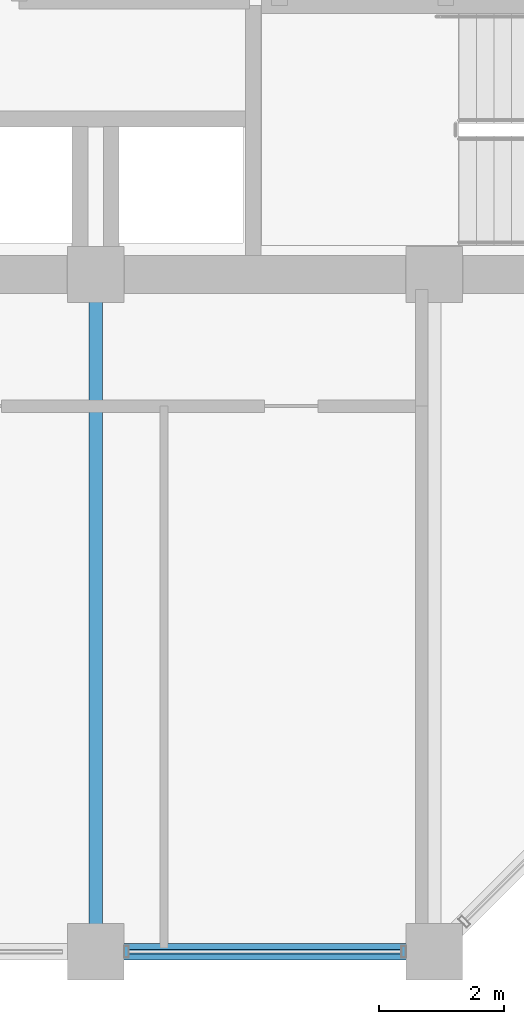
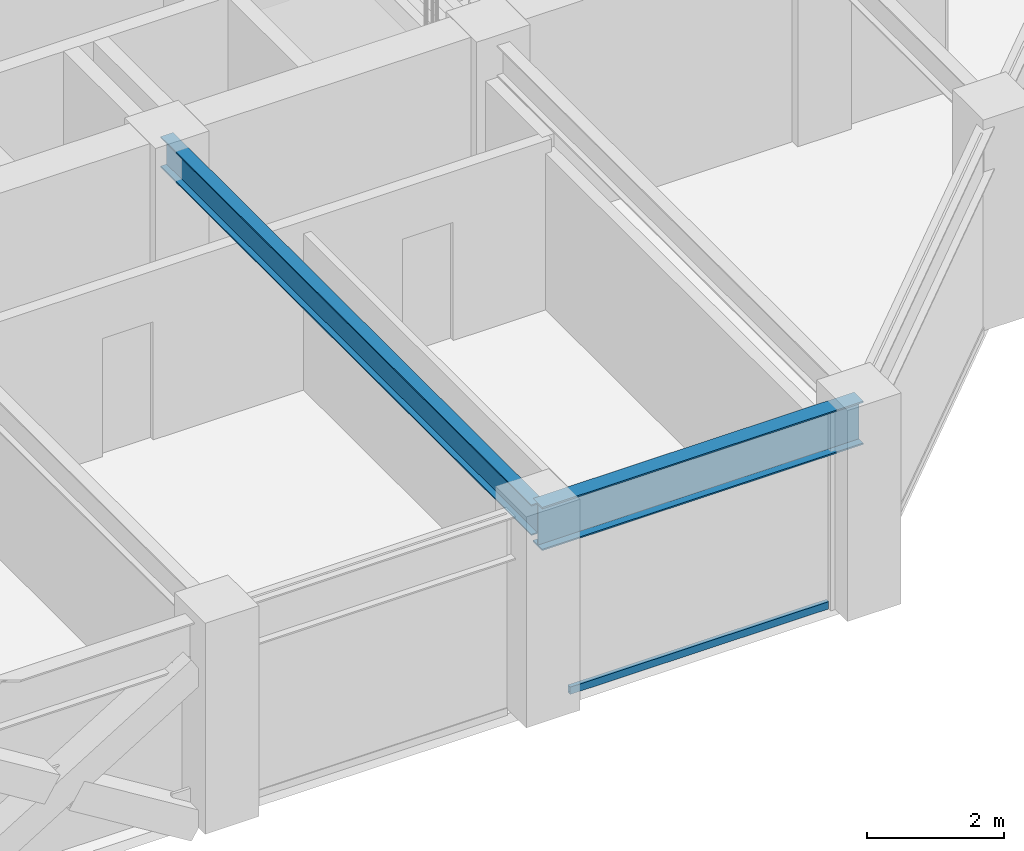
# One storey, part 7 of 32: 2 beams, 1 member, 1 element without a shape of its own.
"""IFC4 building model written with IfcOpenShell, lengths in metres."""

from ifc_helpers import new_model, si_unit, direction, frame, origin, origin_2d, place, context, subcontext, project, spatial, hollow_rectangle, i_section, extrude, material, layer, layer_set, material_profile, profile_set, type_object, element, aggregate, save


model = new_model("IFC4")

# Units and contexts
model_context = context("Model", 3, precision=1e-05, world=origin(), true_north=direction((0.0, 1.0)))
body_context = subcontext(model_context, "Body", "Model", "MODEL_VIEW")
ifc_project = project(units=[si_unit("LENGTHUNIT", "METRE"), si_unit("AREAUNIT", "SQUARE_METRE"), si_unit("VOLUMEUNIT", "CUBIC_METRE"), si_unit("PLANEANGLEUNIT", "RADIAN"), si_unit("MASSUNIT", "GRAM", prefix="KILO")], contexts=[model_context])

# Site, building, storey
site_placement = place(None, origin())
site = spatial("IfcSite", under=ifc_project, at=site_placement, CompositionType="ELEMENT")
building_placement = place(site_placement, origin())
building = spatial("IfcBuilding", under=site, at=building_placement, Name="Surkhivell Harbour Commons", CompositionType="ELEMENT")
storey_placement = place(building_placement, frame((0.0, 0.0, 186.0)))
storey = spatial("IfcBuildingStorey", under=building, at=storey_placement, Name="L48", CompositionType="ELEMENT", Elevation=186.0)

# Beams
ifc_material_1 = material(Name="Steel S355", Category="steel")
ifc_material_profile_1 = material_profile(ifc_material_1, i_section(OverallWidth=0.2119140625, OverallDepth=0.5439453125, WebThickness=0.0126953125, FlangeThickness=0.021240234375, at=origin_2d()), Name="UB533x210x122")
ifc_profile_set_1 = profile_set([ifc_material_profile_1], Name="Steel S355")
beam_type_1 = type_object("IfcBeamType", Name="BM-GRD-533A", PredefinedType="BEAM", material=ifc_profile_set_1)
beam_1_placement = place(storey_placement, frame((0.0, -21.60009765625, 3.298095703125), z_axis=(0.0, 1.0, 0.0), x_axis=(-1.0, 0.0, 0.0)))
element("IfcBeam", 1, at=beam_1_placement, inside=storey, type_object=beam_type_1, Name="L48 Floor Girder (0.0,-21.6)", PredefinedType="BEAM", context=body_context, shape_type="SweptSolid", body=[
    extrude(i_section(OverallWidth=0.2119140625, OverallDepth=0.5439453125, WebThickness=0.0126953125, FlangeThickness=0.021240234375, at=origin_2d()), origin(), (0.0, 0.0, 1.0), 10.800048828125),
])
ifc_material_profile_2 = material_profile(ifc_material_1, i_section(OverallWidth=0.26806640625, OverallDepth=0.77001953125, WebThickness=0.015625, FlangeThickness=0.025390625, at=origin_2d()), Name="UB762x267x197")
ifc_profile_set_2 = profile_set([ifc_material_profile_2], Name="Steel S355")
beam_type_2 = type_object("IfcBeamType", Name="BM-SPN-762", PredefinedType="SPANDREL", material=ifc_profile_set_2)
beam_2_placement = place(storey_placement, frame((0.0, -21.60009765625, 3.18505859375), z_axis=(1.0, 0.0, 0.0), x_axis=(0.0, 1.0, 0.0)))
element("IfcBeam", 2, at=beam_2_placement, inside=storey, type_object=beam_type_2, Name="L48 Tube Spandrel (-0.0,-21.6)", PredefinedType="SPANDREL", context=body_context, shape_type="SweptSolid", body=[
    extrude(i_section(OverallWidth=0.26806640625, OverallDepth=0.77001953125, WebThickness=0.015625, FlangeThickness=0.025390625, at=origin_2d()), origin(), (0.0, 0.0, 1.0), 5.39990234375),
])

# Curtain wall, member
ifc_material_2 = material(Name="Anodised pale-metal aluminium and insulated glazing", Category="aluminium")
ifc_layer = layer(ifc_material_2, 0.18994140625)
ifc_layer_set = layer_set([ifc_layer], Name="Anodised pale-metal aluminium and insulated glazing")
curtain_wall_type = type_object("IfcCurtainWallType", Name="CW-SYS-Z3", PredefinedType="NOTDEFINED", material=ifc_layer_set)
curtain_wall_placement = place(storey_placement, origin())
curtain_wall = element("IfcCurtainWall", 3, at=curtain_wall_placement, inside=storey, type_object=curtain_wall_type, Name="L48 Curtain Wall CW-L48-E00S2", PredefinedType="NOTDEFINED")
ifc_material_3 = material(Name="Champagne anodised aluminium alloy 6063-T6", Category="aluminium")
ifc_material_profile_3 = material_profile(ifc_material_3, hollow_rectangle(XDim=0.070068359375, YDim=0.1298828125, WallThickness=0.00341796875, at=origin_2d()), Name="ALU-TRAN-70x130")
ifc_profile_set_3 = profile_set([ifc_material_profile_3], Name="Champagne anodised aluminium alloy 6063-T6")
member_type = type_object("IfcMemberType", Name="CWT-130", PredefinedType="USERDEFINED", material=ifc_profile_set_3)
member_placement = place(storey_placement, frame((0.527099609375, -21.60009765625, 0.06494140625), z_axis=(1.0, 0.0, 0.0), x_axis=(0.0, 1.0, 0.0)))
member = element("IfcMember", 4, at=member_placement, type_object=member_type, Name="CW-Z3 transom 2.1", ObjectType="TRANSOM", PredefinedType="USERDEFINED", context=body_context, shape_type="SweptSolid", body=[
    extrude(hollow_rectangle(XDim=0.070068359375, YDim=0.1298828125, WallThickness=0.00341796875, at=origin_2d()), origin(), (0.0, 0.0, 1.0), 4.345947265625),
])
aggregate(curtain_wall, [member])

save(model, "model.ifc")
